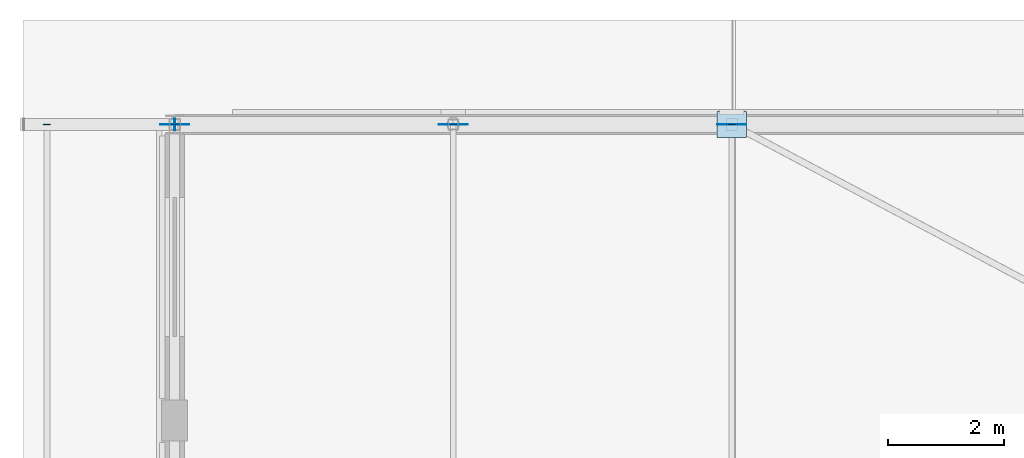
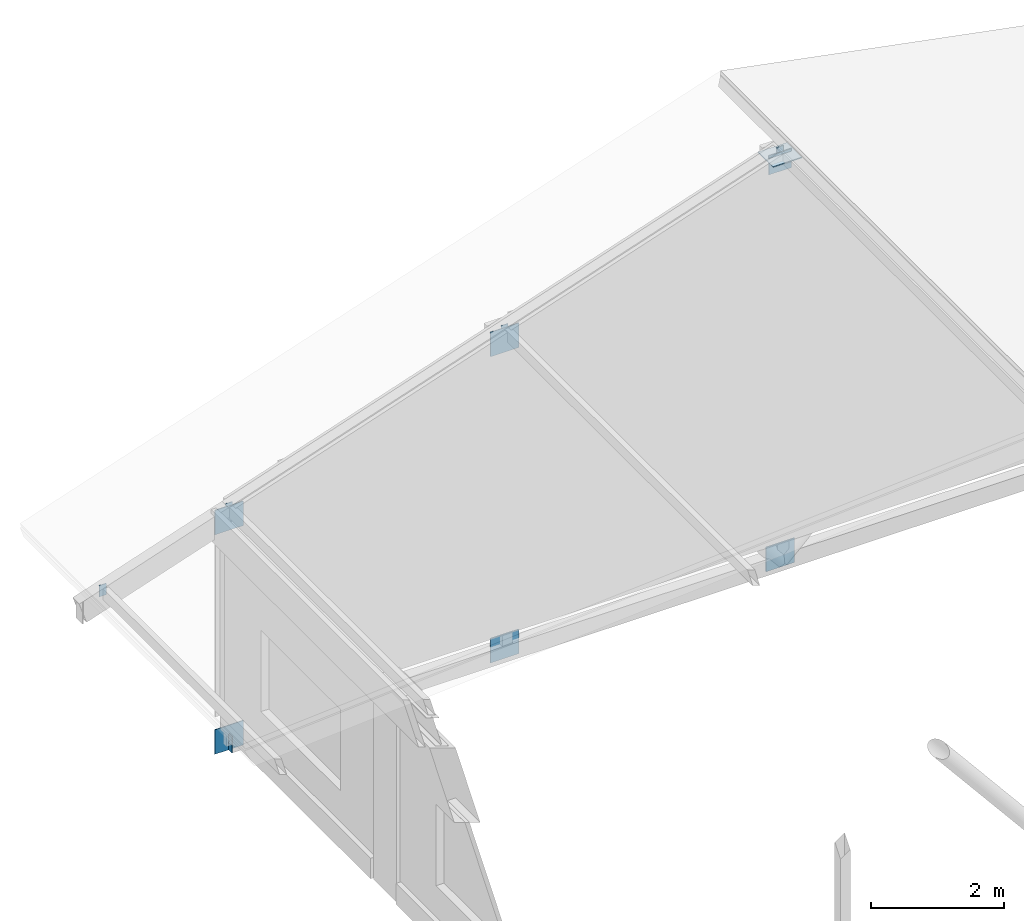
# One storey, part 163 of 200: 12 plates.
"""IFC4 building model written with IfcOpenShell, lengths in metres."""

from ifc_helpers import new_model, si_unit, direction, frame, origin, origin_2d, place, context, subcontext, project, spatial, rectangle, extrude, material, layer, layer_set, type_object, element, save


model = new_model("IFC4")

# Units and contexts
model_context = context("Model", 3, precision=1e-05, world=origin(), true_north=direction((0.0, 1.0)))
body_context = subcontext(model_context, "Body", "Model", "MODEL_VIEW")
ifc_project = project(units=[si_unit("LENGTHUNIT", "METRE"), si_unit("AREAUNIT", "SQUARE_METRE"), si_unit("VOLUMEUNIT", "CUBIC_METRE"), si_unit("PLANEANGLEUNIT", "RADIAN"), si_unit("MASSUNIT", "GRAM", prefix="KILO")], contexts=[model_context])

# Site, building, storey
site_placement = place(None, origin())
site = spatial("IfcSite", under=ifc_project, at=site_placement, CompositionType="ELEMENT")
building_placement = place(site_placement, origin())
building = spatial("IfcBuilding", under=site, at=building_placement, Name="Vondelvale Polytechnic", CompositionType="ELEMENT")
storey_placement = place(building_placement, frame((0.0, 0.0, 13.800048828125)))
storey = spatial("IfcBuildingStorey", under=building, at=storey_placement, Name="L03", CompositionType="ELEMENT", Elevation=13.800048828125)

# Plates
ifc_material = material(Name="Steel Grade 350 (fy = 340 MPa)", Category="steel")
ifc_layer_1 = layer(ifc_material, 0.01611328125)
ifc_layer_set_1 = layer_set([ifc_layer_1], Name="PLATE-CAP-300x200")
plate_type_1 = type_object("IfcPlateType", Name="PLATE-CAP-300x200", PredefinedType="USERDEFINED", material=ifc_layer_set_1)
plate_1_placement = place(storey_placement, frame((0.0, 122.39990234375, -0.5703125), z_axis=(0.0, 0.0, 1.0), x_axis=(1.0, 0.0, 0.0)))
element("IfcPlate", 1, at=plate_1_placement, inside=storey, type_object=plate_type_1, Name="ROOF TRUSS bottom chord cap plate W", ObjectType="CAP_PLATE", PredefinedType="USERDEFINED", context=body_context, shape_type="SweptSolid", body=[
    extrude(rectangle(XDim=0.01611328125, YDim=0.199951171875, at=origin_2d()), origin(), (0.0, 0.0, 1.0), 0.300048828125),
])
ifc_layer_2 = layer(ifc_material, 0.011962890625)
ifc_layer_set_2 = layer_set([ifc_layer_2], Name="PLATE-CAP-C04")
plate_type_2 = type_object("IfcPlateType", Name="PLATE-CAP-C04", PredefinedType="USERDEFINED", material=ifc_layer_set_2)
for number, where, z_axis, x_axis, name in (
    (2, (-2.199951171875, 122.39990234375, 3.035888671875), (0.0, 0.0, 1.0), (1.0, 0.0, 0.0), "Workshop purlin North end cap plate 1"),
    (3, (0.0, 122.39990234375, 3.769287109375), (0.0, 0.0, 1.0), (1.0, 0.0, 0.0), "Workshop purlin North end cap plate 2"),
    (4, (4.800048828125, 122.39990234375, 5.369140625), (0.0, 0.0, 1.0), (1.0, 0.0, 0.0), "Workshop purlin North end cap plate 3"),
    (5, (9.60009765625, 122.39990234375, 6.96923828125), (0.0, 0.0, 1.0), (1.0, 0.0, 0.0), "Workshop purlin North end cap plate 4"),
):
    element("IfcPlate", number, at=place(storey_placement, frame(where, z_axis=z_axis, x_axis=x_axis)), inside=storey, type_object=plate_type_2, Name=name, ObjectType="CAP_PLATE", PredefinedType="USERDEFINED", context=body_context, shape_type="SweptSolid", body=[
        extrude(rectangle(XDim=0.1201171875, YDim=0.011962890625, at=origin_2d()), origin(), (0.0, 0.0, 1.0), 0.2099609375),
    ])
ifc_layer_3 = layer(ifc_material, 0.01611328125)
ifc_layer_set_3 = layer_set([ifc_layer_3], Name="PLATE-GUSSET-16")
plate_type_3 = type_object("IfcPlateType", Name="PLATE-GUSSET-16", PredefinedType="USERDEFINED", material=ifc_layer_set_3)
for number, where, z_axis, x_axis, name in (
    (6, (0.0, 122.39990234375, 3.47509765625), (0.0, 0.0, 1.0), (1.0, 0.0, 0.0), "ROOF TRUSS top chord gusset node plate 0"),
    (7, (0.0, 122.39990234375, -0.56494140625), (0.0, 0.0, 1.0), (1.0, 0.0, 0.0), "ROOF TRUSS bottom chord gusset node plate 0"),
    (8, (4.800048828125, 122.39990234375, 5.0751953125), (0.0, 0.0, 1.0), (1.0, 0.0, 0.0), "ROOF TRUSS top chord gusset node plate 1"),
    (9, (4.800048828125, 122.39990234375, -0.56494140625), (0.0, 0.0, 1.0), (1.0, 0.0, 0.0), "ROOF TRUSS bottom chord gusset node plate 1"),
    (10, (9.60009765625, 122.39990234375, -0.56494140625), (0.0, 0.0, 1.0), (1.0, 0.0, 0.0), "ROOF TRUSS bottom chord gusset node plate 2"),
):
    element("IfcPlate", number, at=place(storey_placement, frame(where, z_axis=z_axis, x_axis=x_axis)), inside=storey, type_object=plate_type_3, Name=name, ObjectType="GUSSET_PLATE", PredefinedType="USERDEFINED", context=body_context, shape_type="SweptSolid", body=[
        extrude(rectangle(XDim=0.5, YDim=0.01611328125, at=origin_2d()), origin(), (0.0, 0.0, 1.0), 0.449951171875),
    ])
plate_2_placement = place(storey_placement, frame((9.60009765625, 122.39990234375, 7.011962890625), z_axis=(0.0, 0.0, 1.0), x_axis=(1.0, 0.0, 0.0)))
element("IfcPlate", 11, at=plate_2_placement, inside=storey, type_object=plate_type_3, Name="Workshop roof brace end gusset plate 7-4", ObjectType="GUSSET_PLATE", PredefinedType="USERDEFINED", context=body_context, shape_type="SweptSolid", body=[
    extrude(rectangle(XDim=0.5, YDim=0.449951171875, at=origin_2d()), origin(), (0.0, 0.0, 1.0), 0.01611328125),
])
ifc_layer_4 = layer(ifc_material, 0.013916015625)
ifc_layer_set_4 = layer_set([ifc_layer_4], Name="PLATE-GUSSET-G08")
plate_type_4 = type_object("IfcPlateType", Name="PLATE-GUSSET-G08", PredefinedType="USERDEFINED", material=ifc_layer_set_4)
plate_3_placement = place(storey_placement, frame((9.60009765625, 122.39990234375, 6.724853515625), z_axis=(0.0, 0.0, 1.0), x_axis=(1.0, 0.0, 0.0)))
element("IfcPlate", 12, at=plate_3_placement, inside=storey, type_object=plate_type_4, Name="ROOF TRUSS top chord gusset node plate 2", ObjectType="GUSSET_PLATE", PredefinedType="USERDEFINED", context=body_context, shape_type="SweptSolid", body=[
    extrude(rectangle(XDim=0.39990234375, YDim=0.013916015625, at=origin_2d()), origin(), (0.0, 0.0, 1.0), 0.35009765625),
])

save(model, "model.ifc")
